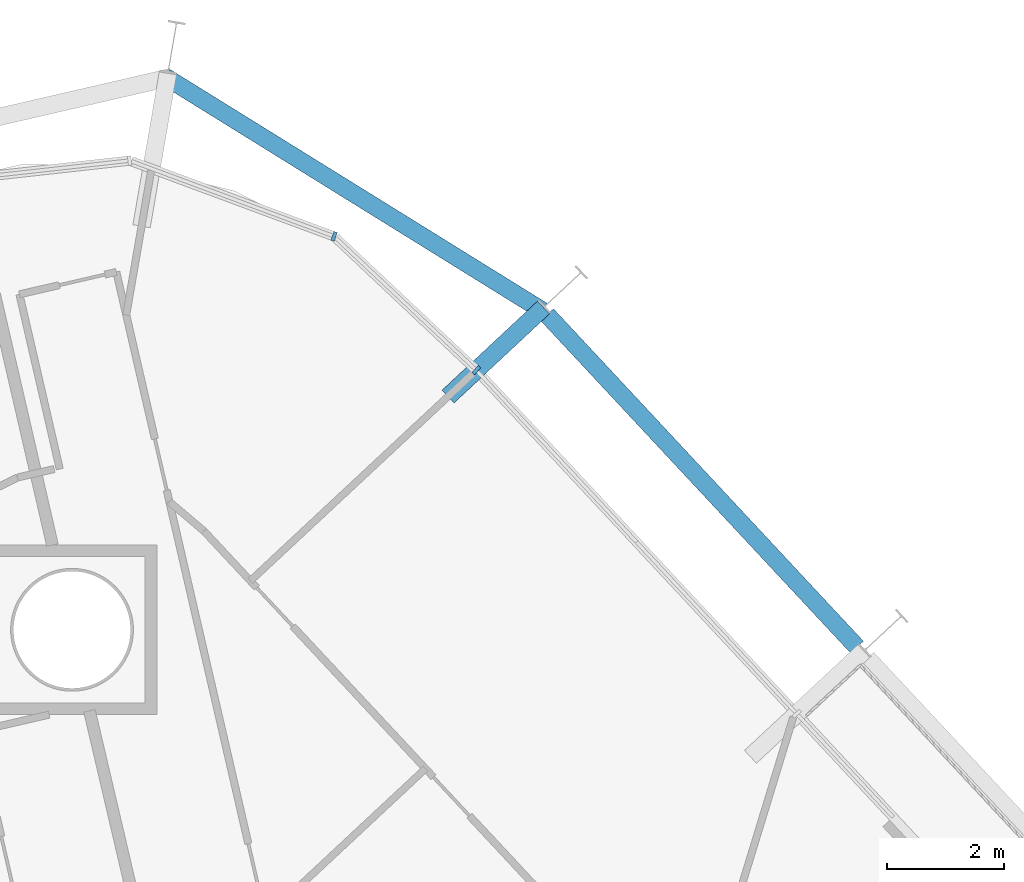
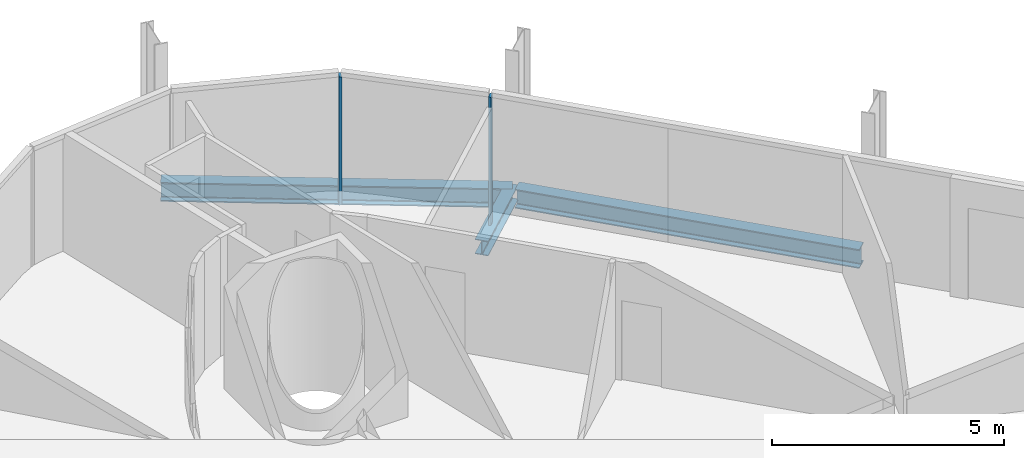
# One storey, part 8 of 18: 3 beams, 2 members, 1 element without a shape of its own.
"""IFC4 building model written with IfcOpenShell, lengths in metres."""

from ifc_helpers import new_model, si_unit, direction, frame, origin, origin_2d, place, context, subcontext, project, spatial, rectangle, i_section, extrude, material, layer, layer_set, material_profile, profile_set, type_object, element, aggregate, save


model = new_model("IFC4")

# Units and contexts
model_context = context("Model", 3, precision=1e-05, world=origin(), true_north=direction((0.0, 1.0)))
body_context = subcontext(model_context, "Body", "Model", "MODEL_VIEW")
ifc_project = project(units=[si_unit("LENGTHUNIT", "METRE"), si_unit("AREAUNIT", "SQUARE_METRE"), si_unit("VOLUMEUNIT", "CUBIC_METRE"), si_unit("PLANEANGLEUNIT", "RADIAN"), si_unit("MASSUNIT", "GRAM", prefix="KILO")], contexts=[model_context])

# Site, building, storey
site_placement = place(None, origin())
site = spatial("IfcSite", under=ifc_project, at=site_placement, CompositionType="ELEMENT")
building_placement = place(site_placement, origin())
building = spatial("IfcBuilding", under=site, at=building_placement, Name="Spindle Arch Residences", CompositionType="ELEMENT")
storey_placement = place(building_placement, frame((0.0, 0.0, 123.89990234375)))
storey = spatial("IfcBuildingStorey", under=building, at=storey_placement, Name="L30", CompositionType="ELEMENT", Elevation=123.89990234375)

# Curtain wall, members
ifc_material_1 = material(Name="Aluminium bronze unitised frame with tinted glass", Category="aluminium")
ifc_layer = layer(ifc_material_1, 0.159912109375)
ifc_layer_set = layer_set([ifc_layer], Name="CW-D corner wall on the fillet arcs")
curtain_wall_type = type_object("IfcCurtainWallType", Name="CW-D corner wall on the fillet arcs", PredefinedType="NOTDEFINED", material=ifc_layer_set)
curtain_wall_placement = place(storey_placement, origin())
curtain_wall = element("IfcCurtainWall", 1, at=curtain_wall_placement, inside=storey, type_object=curtain_wall_type, Name="CW-D L30 run 3", PredefinedType="NOTDEFINED")
ifc_material_2 = material(Name="Aluminium bronze anodised mullion", Category="aluminium")
ifc_material_profile_1 = material_profile(ifc_material_2, rectangle(XDim=0.159912109375, YDim=0.06005859375, at=origin_2d()), Name="MU 60x160")
ifc_profile_set_1 = profile_set([ifc_material_profile_1], Name="Aluminium bronze anodised mullion")
member_type = type_object("IfcMemberType", Name="Bronze mullion 60x160", PredefinedType="MULLION", material=ifc_profile_set_1)
member_1_placement = place(storey_placement, frame((2.010009765625, 25.6611328125, -0.3798828125), z_axis=(0.0, 0.0, 1.0), x_axis=(-0.685289870681, -0.728270412102, 0.0)))
member_1 = element("IfcMember", 2, at=member_1_placement, type_object=member_type, Name="CW-D mullion 00", PredefinedType="MULLION", context=body_context, shape_type="SweptSolid", body=[
    extrude(rectangle(XDim=0.159912109375, YDim=0.06005859375, at=origin_2d()), origin(), (0.0, 0.0, 1.0), 3.3798828125),
])
member_2_placement = place(storey_placement, frame((-0.420654296875, 27.9482421875, -0.3798828125), z_axis=(0.0, 0.0, 1.0), x_axis=(-0.347481235896, -0.937686936403, 0.0)))
member_2 = element("IfcMember", 3, at=member_2_placement, type_object=member_type, Name="CW-D mullion 01", PredefinedType="MULLION", context=body_context, shape_type="SweptSolid", body=[
    extrude(rectangle(XDim=0.159912109375, YDim=0.06005859375, at=origin_2d()), origin(), (0.0, 0.0, 1.0), 3.3798828125),
])
aggregate(curtain_wall, [member_1, member_2])

# Beams
ifc_material_3 = material(Name="Steel S460ML, intumescent coating R 120", Category="steel")
ifc_material_profile_2 = material_profile(ifc_material_3, i_section(OverallWidth=0.300048828125, OverallDepth=0.5, WebThickness=0.014404296875, FlangeThickness=0.028076171875, FilletRadius=0.027099609375, at=origin_2d()), Name="HEB 500")
ifc_profile_set_2 = profile_set([ifc_material_profile_2], Name="Steel S460ML, intumescent coating R 120")
beam_type_1 = type_object("IfcBeamType", Name="Exoskeleton edge beam HEB 500", PredefinedType="BEAM", material=ifc_profile_set_2)
beam_1_placement = place(storey_placement, frame((8.51611328125, 20.927490234375, -0.6298828125), z_axis=(-0.681975565737, 0.731374957007, 0.0), x_axis=(-0.731374957007, -0.681975565737, 0.0)))
element("IfcBeam", 4, at=beam_1_placement, inside=storey, type_object=beam_type_1, Name="Exoskeleton edge beam 9", PredefinedType="BEAM", context=body_context, shape_type="SweptSolid", body=[
    extrude(i_section(OverallWidth=0.300048828125, OverallDepth=0.5, WebThickness=0.014404296875, FlangeThickness=0.028076171875, FilletRadius=0.027099609375, at=origin_2d()), origin(), (0.0, 0.0, 1.0), 7.76904296875),
])
beam_2_placement = place(storey_placement, frame((3.14404296875, 26.67626953125, -0.6298828125), z_axis=(-0.849846805049, 0.52702979797, 0.0), x_axis=(-0.52702979797, -0.849846805049, 0.0)))
element("IfcBeam", 5, at=beam_2_placement, inside=storey, type_object=beam_type_1, Name="Exoskeleton edge beam 10", PredefinedType="BEAM", context=body_context, shape_type="SweptSolid", body=[
    extrude(i_section(OverallWidth=0.300048828125, OverallDepth=0.5, WebThickness=0.014404296875, FlangeThickness=0.028076171875, FilletRadius=0.027099609375, at=origin_2d()), origin(), (0.0, 0.0, 1.0), 7.591552734375),
])
ifc_material_4 = material(Name="Steel S460ML, intumescent coating R 120", Category="steel")
ifc_material_profile_3 = material_profile(ifc_material_4, i_section(OverallWidth=0.300048828125, OverallDepth=0.389892578125, WebThickness=0.010986328125, FlangeThickness=0.01904296875, FilletRadius=0.027099609375, at=origin_2d()), Name="HEA 400")
ifc_profile_set_3 = profile_set([ifc_material_profile_3], Name="Steel S460ML, intumescent coating R 120")
beam_type_2 = type_object("IfcBeamType", Name="Floor outrigger HEA 400", PredefinedType="BEAM", material=ifc_profile_set_3)
beam_3_placement = place(storey_placement, frame((3.158203125, 26.73193359375, -0.574951171875), z_axis=(-0.73130638013, -0.682049102618, 0.0), x_axis=(0.682049102618, -0.73130638013, 0.0)))
element("IfcBeam", 6, at=beam_3_placement, inside=storey, type_object=beam_type_2, Name="Floor outrigger 10", PredefinedType="BEAM", context=body_context, shape_type="SweptSolid", body=[
    extrude(i_section(OverallWidth=0.300048828125, OverallDepth=0.389892578125, WebThickness=0.010986328125, FlangeThickness=0.01904296875, FilletRadius=0.027099609375, at=origin_2d()), origin(), (0.0, 0.0, 1.0), 2.23046875),
])

save(model, "model.ifc")
